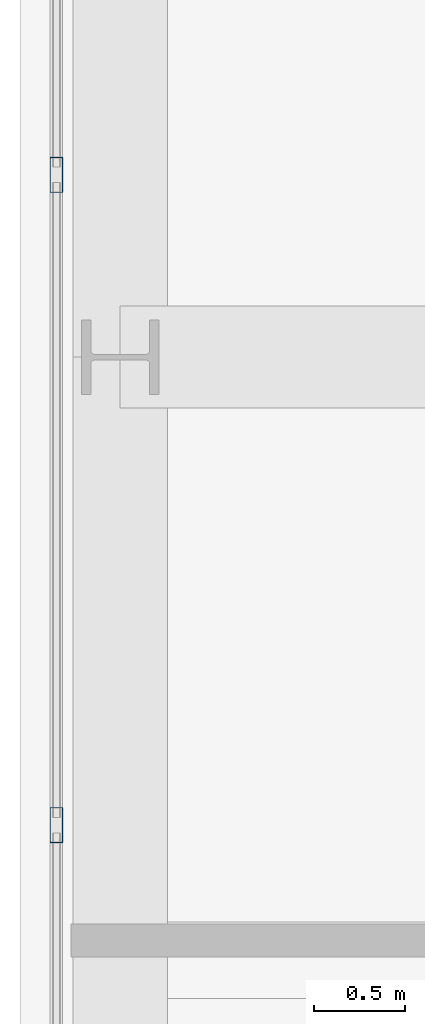
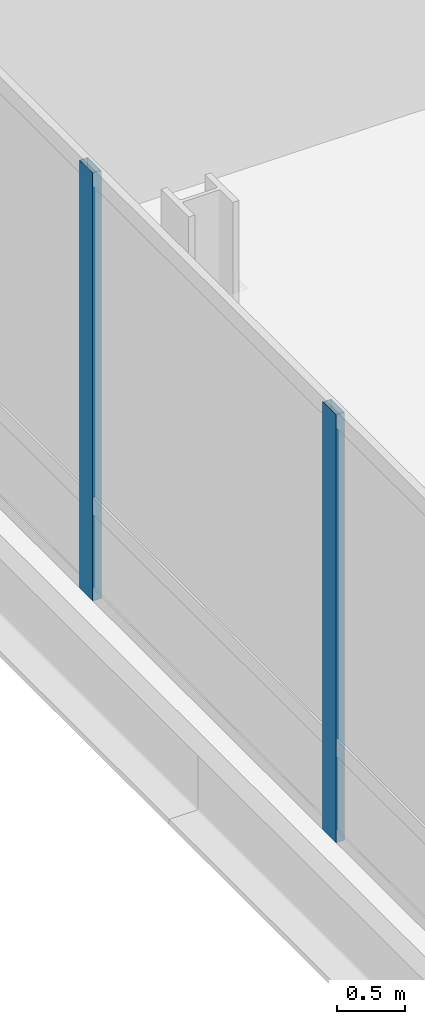
# One storey, part 8 of 38: 2 members, 1 element without a shape of its own.
"""IFC4 building model written with IfcOpenShell, lengths in metres."""

from ifc_helpers import new_model, si_unit, direction, frame, origin, origin_2d, place, context, subcontext, project, spatial, hollow_rectangle, extrude, material, material_profile, profile_set, type_object, element, aggregate, save


model = new_model("IFC4")

# Units and contexts
model_context = context("Model", 3, precision=1e-05, world=origin(), true_north=direction((0.0, 1.0)))
body_context = subcontext(model_context, "Body", "Model", "MODEL_VIEW")
ifc_project = project(units=[si_unit("LENGTHUNIT", "METRE"), si_unit("AREAUNIT", "SQUARE_METRE"), si_unit("VOLUMEUNIT", "CUBIC_METRE"), si_unit("PLANEANGLEUNIT", "RADIAN"), si_unit("MASSUNIT", "GRAM", prefix="KILO")], contexts=[model_context])

# Site, building, storey
site_placement = place(None, origin())
site = spatial("IfcSite", under=ifc_project, at=site_placement, CompositionType="ELEMENT")
building_placement = place(site_placement, origin())
building = spatial("IfcBuilding", under=site, at=building_placement, Name="Punatoya Terracotta Tower", CompositionType="ELEMENT")
storey_placement = place(building_placement, frame((0.0, 0.0, 188.39990234375)))
storey = spatial("IfcBuildingStorey", under=building, at=storey_placement, Name="L44", CompositionType="ELEMENT", Elevation=188.39990234375)

# Curtain wall, members
ifc_material_1 = material(Name="Aluminium 6063-T6 + Double Low-E Glass", Category="aluminium")
curtain_wall_type = type_object("IfcCurtainWallType", Name="CW-M2", PredefinedType="NOTDEFINED", material=ifc_material_1)
curtain_wall_placement = place(storey_placement, origin())
curtain_wall = element("IfcCurtainWall", 1, at=curtain_wall_placement, inside=storey, type_object=curtain_wall_type, Name="L44 Curtain Wall CW-L44-W13-1", PredefinedType="NOTDEFINED")
ifc_material_2 = material(Name="Aluminium 6063-T6", Category="aluminium")
ifc_material_profile = material_profile(ifc_material_2, hollow_rectangle(XDim=0.072021484375, YDim=0.195068359375, WallThickness=0.00439453125, at=origin_2d()))
ifc_profile_set = profile_set([ifc_material_profile], Name="Aluminium 6063-T6")
member_type = type_object("IfcMemberType", Name="CW-MUL-M2", PredefinedType="MULLION", material=ifc_profile_set)
member_1_placement = place(storey_placement, frame((-24.85009765625, -2.39990234375, 0.0), z_axis=(0.0, 0.0, 1.0), x_axis=(1.0, 0.0, 0.0)))
member_1 = element("IfcMember", 2, at=member_1_placement, type_object=member_type, Name="CW-L44-W13-1 Mullion 05", PredefinedType="MULLION", context=body_context, shape_type="SweptSolid", body=[
    extrude(hollow_rectangle(XDim=0.072021484375, YDim=0.195068359375, WallThickness=0.00439453125, at=origin_2d()), origin(), (0.0, 0.0, 1.0), 3.830078125),
])
member_2_placement = place(storey_placement, frame((-24.85009765625, -5.96728515625, 0.0), z_axis=(0.0, 0.0, 1.0), x_axis=(1.0, 0.0, 0.0)))
member_2 = element("IfcMember", 3, at=member_2_placement, type_object=member_type, Name="CW-L44-W13-1 Mullion 06", PredefinedType="MULLION", context=body_context, shape_type="SweptSolid", body=[
    extrude(hollow_rectangle(XDim=0.072021484375, YDim=0.195068359375, WallThickness=0.00439453125, at=origin_2d()), origin(), (0.0, 0.0, 1.0), 3.830078125),
])
aggregate(curtain_wall, [member_1, member_2])

save(model, "model.ifc")
